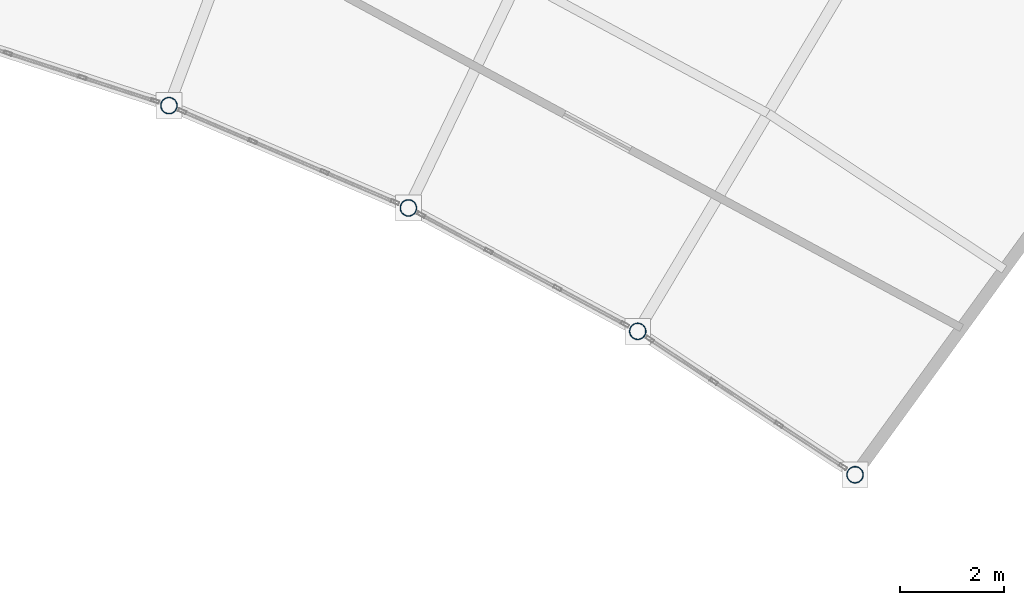
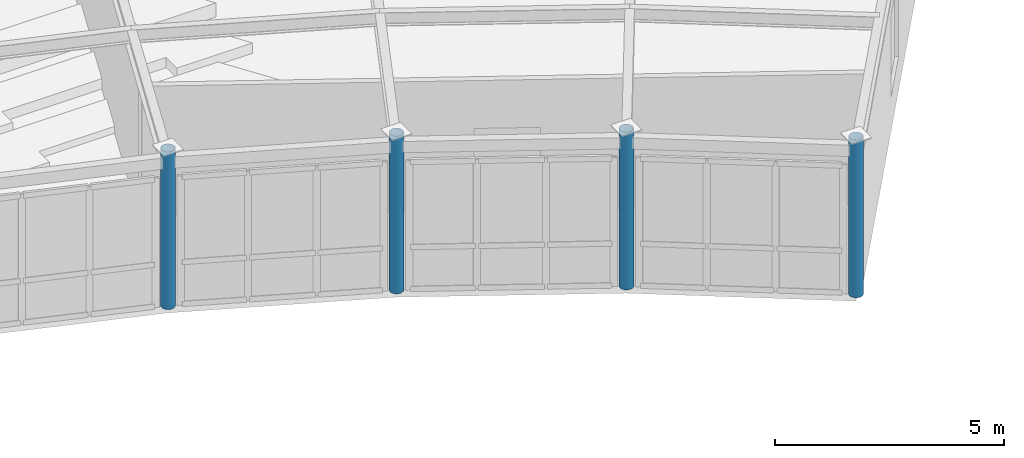
# One storey, part 7 of 54: 4 columns.
"""IFC4 building model written with IfcOpenShell, lengths in metres."""

from ifc_helpers import new_model, si_unit, direction, frame, origin, origin_2d, place, context, subcontext, project, spatial, hollow_circle, extrude, material, material_profile, profile_set, type_object, element, save


model = new_model("IFC4")

# Units and contexts
model_context = context("Model", 3, precision=1e-05, world=origin(), true_north=direction((0.0, 1.0)))
body_context = subcontext(model_context, "Body", "Model", "MODEL_VIEW")
ifc_project = project(units=[si_unit("LENGTHUNIT", "METRE"), si_unit("AREAUNIT", "SQUARE_METRE"), si_unit("VOLUMEUNIT", "CUBIC_METRE"), si_unit("PLANEANGLEUNIT", "RADIAN"), si_unit("MASSUNIT", "GRAM", prefix="KILO")], contexts=[model_context])

# Site, building, storey
site_placement = place(None, origin())
site = spatial("IfcSite", under=ifc_project, at=site_placement, CompositionType="ELEMENT")
building_placement = place(site_placement, origin())
building = spatial("IfcBuilding", under=site, at=building_placement, Name="Selat Folded Stagehouse", CompositionType="ELEMENT")
storey_placement = place(building_placement, frame((0.0, 0.0, 15.0)))
storey = spatial("IfcBuildingStorey", under=building, at=storey_placement, Name="L03", CompositionType="ELEMENT", Elevation=15.0)

# Columns
ifc_material = material(Name="Steel S355", Category="steel")
ifc_material_profile = material_profile(ifc_material, hollow_circle(Radius=0.161865234375, WallThickness=0.012451171875, at=origin_2d()), Name="CHS 323.9x12.5")
ifc_profile_set = profile_set([ifc_material_profile], Name="Steel S355")
column_type = type_object("IfcColumnType", Name="COL-CHS-323x12.5", PredefinedType="COLUMN", material=ifc_profile_set)
for number, where, z_axis, x_axis, name in (
    (1, (112.076904296875, 90.42919921875, 0.0), (0.0, 0.0, 1.0), (1.0, 0.0, 0.0), "L03 column STK-V6IN-11"),
    (2, (116.697509765625, 88.454345703125, 0.0), (0.0, 0.0, 1.0), (1.0, 0.0, 0.0), "L03 column STK-V6IN-12"),
    (3, (121.122314453125, 86.072998046875, 0.0), (0.0, 0.0, 1.0), (1.0, 0.0, 0.0), "L03 column STK-V6IN-13"),
    (4, (125.31591796875, 83.304931640625, 0.0), (0.0, 0.0, 1.0), (1.0, 0.0, 0.0), "L03 column STK-V6IN-14"),
):
    element("IfcColumn", number, at=place(storey_placement, frame(where, z_axis=z_axis, x_axis=x_axis)), inside=storey, type_object=column_type, Name=name, PredefinedType="COLUMN", context=body_context, shape_type="SweptSolid", body=[
        extrude(hollow_circle(Radius=0.161865234375, WallThickness=0.012451171875, at=origin_2d()), origin(), (0.0, 0.0, 1.0), 4.199951171875),
    ])

save(model, "model.ifc")
